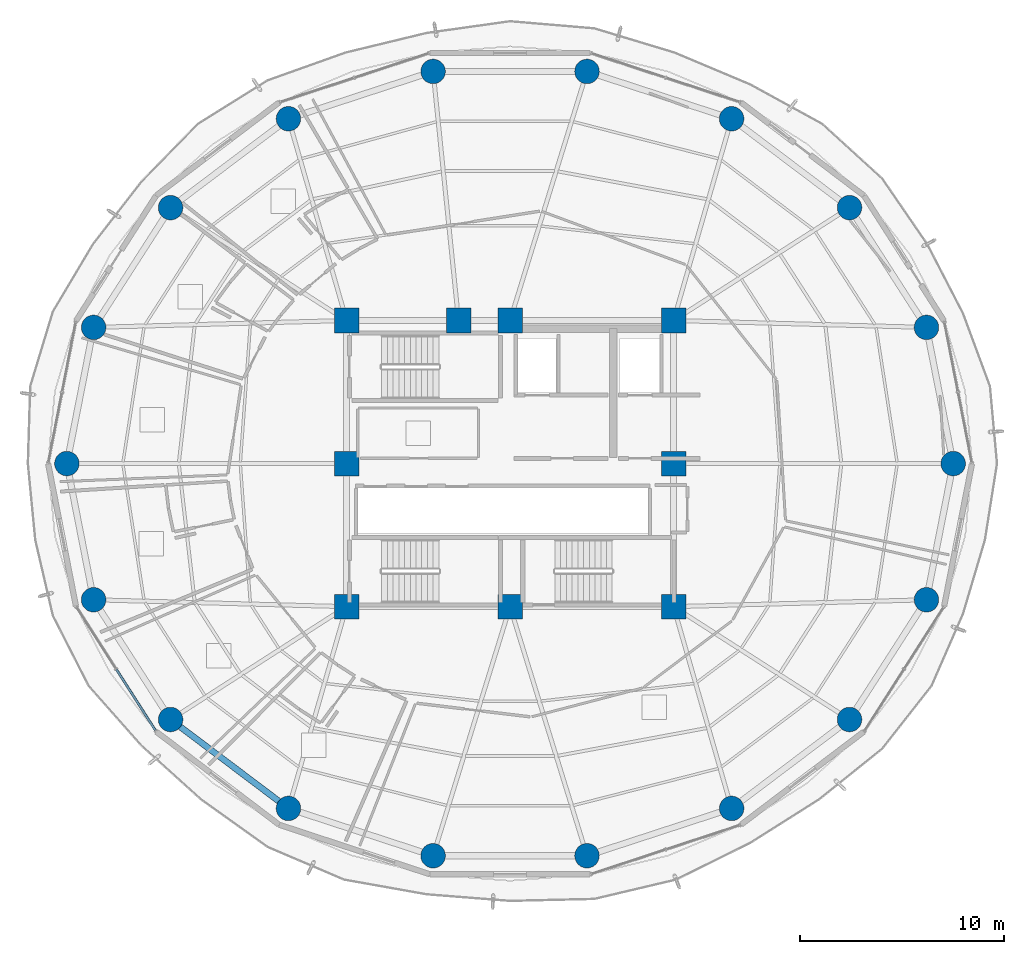
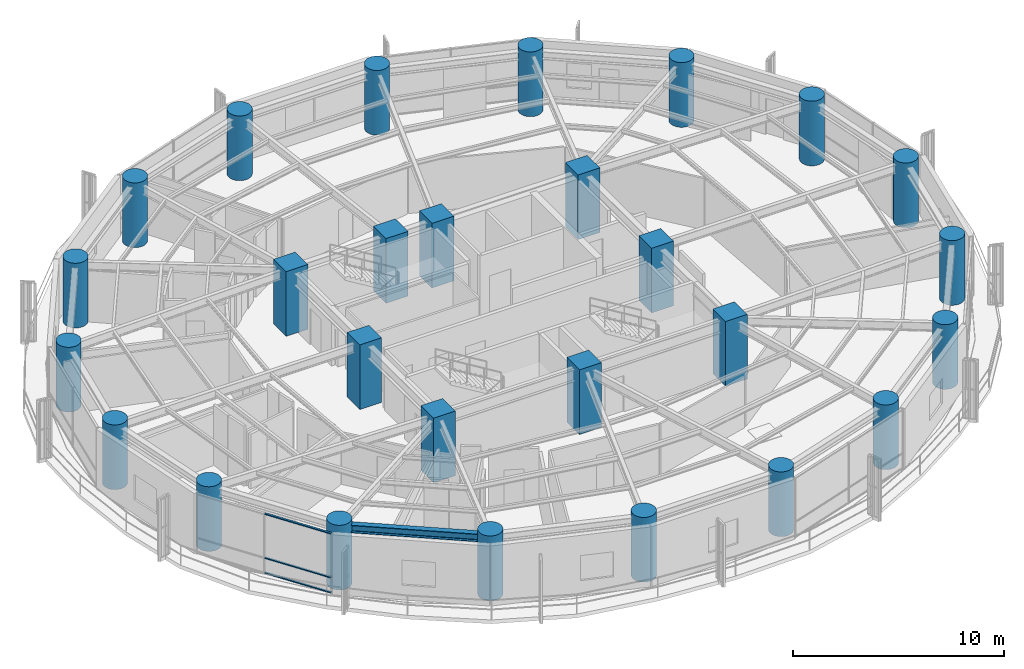
# One storey, part 1 of 27: 27 columns, 3 members, 1 beam, 1 element without a shape of its own.
"""IFC4 building model written with IfcOpenShell, lengths in metres."""

from ifc_helpers import new_model, si_unit, direction, frame, origin, origin_2d, place, context, subcontext, project, spatial, rectangle, hollow_rectangle, circle, i_section, extrude, material, layer, layer_set, material_profile, profile_set, type_object, element, aggregate, save


model = new_model("IFC4")

# Units and contexts
model_context = context("Model", 3, precision=1e-05, world=origin(), true_north=direction((0.0, 1.0)))
body_context = subcontext(model_context, "Body", "Model", "MODEL_VIEW")
ifc_project = project(units=[si_unit("LENGTHUNIT", "METRE"), si_unit("AREAUNIT", "SQUARE_METRE"), si_unit("VOLUMEUNIT", "CUBIC_METRE"), si_unit("PLANEANGLEUNIT", "RADIAN"), si_unit("MASSUNIT", "GRAM", prefix="KILO")], contexts=[model_context])

# Site, building, storey
site_placement = place(None, origin())
site = spatial("IfcSite", under=ifc_project, at=site_placement, CompositionType="ELEMENT")
building_placement = place(site_placement, origin())
building = spatial("IfcBuilding", under=site, at=building_placement, Name="Kelanora Arch Commons", CompositionType="ELEMENT")
storey_placement = place(building_placement, frame((0.0, 0.0, 154.35009765625)))
storey = spatial("IfcBuildingStorey", under=building, at=storey_placement, Name="L39", CompositionType="ELEMENT", Elevation=154.35009765625)

# Columns
ifc_material_1 = material(Name="Concrete C50/60", Category="concrete")
ifc_material_profile_1 = material_profile(ifc_material_1, circle(Radius=0.60009765625, at=origin_2d()), Name="RCC1200")
ifc_profile_set_1 = profile_set([ifc_material_profile_1], Name="Concrete C50/60")
column_type_1 = type_object("IfcColumnType", Name="COL-PERIM-Z3", PredefinedType="COLUMN", material=ifc_profile_set_1)
for number, where, z_axis, x_axis, name in (
    (1, (95.679931640625, 58.0, 0.0), (0.0, 0.0, 1.0), (1.0, 0.0, 0.0), "Perimeter Ring Column CP-00 L39"),
    (2, (94.37255859375, 64.66259765625, 0.0), (0.0, 0.0, 1.0), (1.0, 0.0, 0.0), "Perimeter Ring Column CP-02 L39"),
    (3, (90.60791015625, 70.521484375, 0.0), (0.0, 0.0, 1.0), (1.0, 0.0, 0.0), "Perimeter Ring Column CP-04 L39"),
    (4, (84.840087890625, 74.8701171875, 0.0), (0.0, 0.0, 1.0), (1.0, 0.0, 0.0), "Perimeter Ring Column CP-06 L39"),
    (5, (77.7646484375, 77.18408203125, 0.0), (0.0, 0.0, 1.0), (1.0, 0.0, 0.0), "Perimeter Ring Column CP-08 L39"),
    (6, (70.2353515625, 77.18408203125, 0.0), (0.0, 0.0, 1.0), (1.0, 0.0, 0.0), "Perimeter Ring Column CP-10 L39"),
    (7, (63.159912109375, 74.8701171875, 0.0), (0.0, 0.0, 1.0), (1.0, 0.0, 0.0), "Perimeter Ring Column CP-12 L39"),
    (8, (57.39208984375, 70.521484375, 0.0), (0.0, 0.0, 1.0), (1.0, 0.0, 0.0), "Perimeter Ring Column CP-14 L39"),
    (9, (53.62744140625, 64.66259765625, 0.0), (0.0, 0.0, 1.0), (1.0, 0.0, 0.0), "Perimeter Ring Column CP-16 L39"),
    (10, (52.320068359375, 58.0, 0.0), (0.0, 0.0, 1.0), (1.0, 0.0, 0.0), "Perimeter Ring Column CP-18 L39"),
    (11, (53.62744140625, 51.33740234375, 0.0), (0.0, 0.0, 1.0), (1.0, 0.0, 0.0), "Perimeter Ring Column CP-20 L39"),
    (12, (57.39208984375, 45.478515625, 0.0), (0.0, 0.0, 1.0), (1.0, 0.0, 0.0), "Perimeter Ring Column CP-22 L39"),
    (13, (63.159912109375, 41.1298828125, 0.0), (0.0, 0.0, 1.0), (1.0, 0.0, 0.0), "Perimeter Ring Column CP-24 L39"),
    (14, (70.2353515625, 38.81591796875, 0.0), (0.0, 0.0, 1.0), (1.0, 0.0, 0.0), "Perimeter Ring Column CP-26 L39"),
    (15, (77.7646484375, 38.81591796875, 0.0), (0.0, 0.0, 1.0), (1.0, 0.0, 0.0), "Perimeter Ring Column CP-28 L39"),
    (16, (84.840087890625, 41.1298828125, 0.0), (0.0, 0.0, 1.0), (1.0, 0.0, 0.0), "Perimeter Ring Column CP-30 L39"),
    (17, (90.60791015625, 45.478515625, 0.0), (0.0, 0.0, 1.0), (1.0, 0.0, 0.0), "Perimeter Ring Column CP-32 L39"),
    (18, (94.37255859375, 51.33740234375, 0.0), (0.0, 0.0, 1.0), (1.0, 0.0, 0.0), "Perimeter Ring Column CP-34 L39"),
):
    element("IfcColumn", number, at=place(storey_placement, frame(where, z_axis=z_axis, x_axis=x_axis)), inside=storey, type_object=column_type_1, Name=name, PredefinedType="COLUMN", context=body_context, shape_type="SweptSolid", body=[
        extrude(circle(Radius=0.60009765625, at=origin_2d()), origin(), (0.0, 0.0, 1.0), 3.75),
    ])
ifc_material_2 = material(Name="Concrete C60/75", Category="concrete")
ifc_material_profile_2 = material_profile(ifc_material_2, rectangle(XDim=1.199951171875, YDim=1.199951171875, at=origin_2d()), Name="RC1200x1200")
ifc_profile_set_2 = profile_set([ifc_material_profile_2], Name="Concrete C60/75")
column_type_2 = type_object("IfcColumnType", Name="COL-PIL-MID", PredefinedType="PILASTER", material=ifc_profile_set_2)
for number, where, z_axis, x_axis, name in (
    (19, (66.0, 51.0, 0.0), (0.0, 0.0, 1.0), (1.0, 0.0, 0.0), "Core Pilaster Column CP1 L39"),
    (20, (74.0, 51.0, 0.0), (0.0, 0.0, 1.0), (1.0, 0.0, 0.0), "Core Pilaster Column CP2 L39"),
    (21, (82.0, 51.0, 0.0), (0.0, 0.0, 1.0), (1.0, 0.0, 0.0), "Core Pilaster Column CP3 L39"),
    (22, (82.0, 58.0, 0.0), (0.0, 0.0, 1.0), (1.0, 0.0, 0.0), "Core Pilaster Column CP4 L39"),
    (23, (82.0, 65.0, 0.0), (0.0, 0.0, 1.0), (1.0, 0.0, 0.0), "Core Pilaster Column CP5 L39"),
    (24, (74.0, 65.0, 0.0), (0.0, 0.0, 1.0), (1.0, 0.0, 0.0), "Core Pilaster Column CP6 L39"),
    (25, (71.47998046875, 65.0, 0.0), (0.0, 0.0, 1.0), (1.0, 0.0, 0.0), "Core Pilaster Column CP9 L39"),
    (26, (66.0, 65.0, 0.0), (0.0, 0.0, 1.0), (1.0, 0.0, 0.0), "Core Pilaster Column CP7 L39"),
    (27, (66.0, 58.0, 0.0), (0.0, 0.0, 1.0), (1.0, 0.0, 0.0), "Core Pilaster Column CP8 L39"),
):
    element("IfcColumn", number, at=place(storey_placement, frame(where, z_axis=z_axis, x_axis=x_axis)), inside=storey, type_object=column_type_2, Name=name, PredefinedType="PILASTER", context=body_context, shape_type="SweptSolid", body=[
        extrude(rectangle(XDim=1.199951171875, YDim=1.199951171875, at=origin_2d()), origin(), (0.0, 0.0, 1.0), 3.75),
    ])

# Beam
ifc_material_3 = material(Name="Steel S355", Category="steel")
ifc_material_profile_3 = material_profile(ifc_material_3, i_section(OverallWidth=0.300048828125, OverallDepth=0.449951171875, WebThickness=0.013916015625, FlangeThickness=0.02587890625, FilletRadius=0.027099609375, at=origin_2d()), Name="HEB450")
ifc_profile_set_3 = profile_set([ifc_material_profile_3], Name="Steel S355")
beam_type = type_object("IfcBeamType", Name="BM-SPN-Z3", PredefinedType="SPANDREL", material=ifc_profile_set_3)
beam_placement = place(storey_placement, frame((57.39208984375, 45.478515625, 3.264892578125), z_axis=(0.798484645564, -0.60201517489, 0.0), x_axis=(0.60201517489, 0.798484645564, 0.0)))
element("IfcBeam", 28, at=beam_placement, inside=storey, type_object=beam_type, Name="Perimeter Spandrel Beam BS-22 L39", PredefinedType="SPANDREL", context=body_context, shape_type="SweptSolid", body=[
    extrude(i_section(OverallWidth=0.300048828125, OverallDepth=0.449951171875, WebThickness=0.013916015625, FlangeThickness=0.02587890625, FilletRadius=0.027099609375, at=origin_2d()), origin(), (0.0, 0.0, 1.0), 7.223388671875),
])

# Curtain wall, members
ifc_material_4 = material(Name="Terracotta ceramic-fritted low-E glass and aluminium", Category="masonry")
ifc_layer = layer(ifc_material_4, 0.175048828125)
ifc_layer_set = layer_set([ifc_layer], Name="Terracotta ceramic-fritted low-E glass and aluminium")
curtain_wall_type = type_object("IfcCurtainWallType", Name="CW-SYS-02", PredefinedType="NOTDEFINED", material=ifc_layer_set)
curtain_wall_placement = place(storey_placement, origin())
curtain_wall = element("IfcCurtainWall", 29, at=curtain_wall_placement, inside=storey, type_object=curtain_wall_type, Name="Unitised Curtain Wall L39-B10", PredefinedType="NOTDEFINED")
ifc_material_5 = material(Name="Powder-coated aluminium terracotta", Category="masonry")
ifc_material_profile_4 = material_profile(ifc_material_5, hollow_rectangle(XDim=0.1201171875, YDim=0.06005859375, WallThickness=0.0048828125, InnerFilletRadius=0.0048828125, OuterFilletRadius=0.010009765625, at=origin_2d()), Name="CWT120x60")
ifc_profile_set_4 = profile_set([ifc_material_profile_4], Name="Powder-coated aluminium terracotta")
member_type = type_object("IfcMemberType", Name="CWT-STD", PredefinedType="USERDEFINED", material=ifc_profile_set_4)
member_1_placement = place(storey_placement, frame((54.7412109375, 47.9296875, 0.02978515625), z_axis=(0.53883037555, -0.842414284295, 0.0), x_axis=(0.842414284295, 0.53883037555, 0.0)))
member_1 = element("IfcMember", 30, at=member_1_placement, type_object=member_type, Name="CW-02 transom 2.1", ObjectType="TRANSOM", PredefinedType="USERDEFINED", context=body_context, shape_type="SweptSolid", body=[
    extrude(hollow_rectangle(XDim=0.1201171875, YDim=0.06005859375, WallThickness=0.0048828125, InnerFilletRadius=0.0048828125, OuterFilletRadius=0.010009765625, at=origin_2d()), origin(), (0.0, 0.0, 1.0), 3.536865234375),
])
member_2_placement = place(storey_placement, frame((54.7412109375, 47.9296875, 0.89990234375), z_axis=(0.53883037555, -0.842414284295, 0.0), x_axis=(0.842414284295, 0.53883037555, 0.0)))
member_2 = element("IfcMember", 31, at=member_2_placement, type_object=member_type, Name="CW-02 transom 2.2", ObjectType="TRANSOM", PredefinedType="USERDEFINED", context=body_context, shape_type="SweptSolid", body=[
    extrude(hollow_rectangle(XDim=0.1201171875, YDim=0.06005859375, WallThickness=0.0048828125, InnerFilletRadius=0.0048828125, OuterFilletRadius=0.010009765625, at=origin_2d()), origin(), (0.0, 0.0, 1.0), 3.536865234375),
])
member_3_placement = place(storey_placement, frame((54.7412109375, 47.9296875, 3.44482421875), z_axis=(0.53883037555, -0.842414284295, 0.0), x_axis=(0.842414284295, 0.53883037555, 0.0)))
member_3 = element("IfcMember", 32, at=member_3_placement, type_object=member_type, Name="CW-02 transom 2.3", ObjectType="TRANSOM", PredefinedType="USERDEFINED", context=body_context, shape_type="SweptSolid", body=[
    extrude(hollow_rectangle(XDim=0.1201171875, YDim=0.06005859375, WallThickness=0.0048828125, InnerFilletRadius=0.0048828125, OuterFilletRadius=0.010009765625, at=origin_2d()), origin(), (0.0, 0.0, 1.0), 3.536865234375),
])
aggregate(curtain_wall, [member_1, member_2, member_3])

save(model, "model.ifc")
